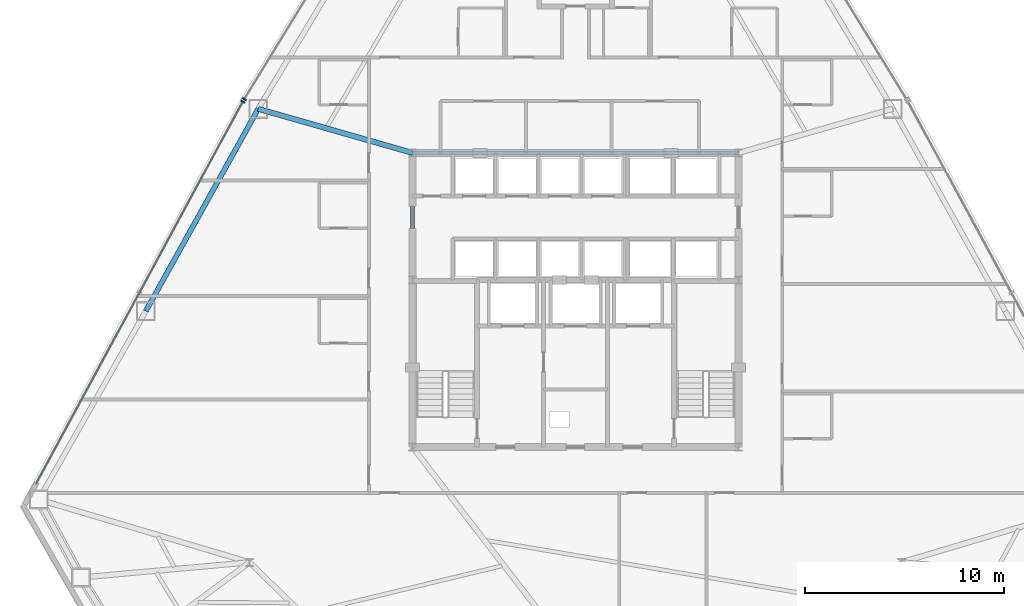
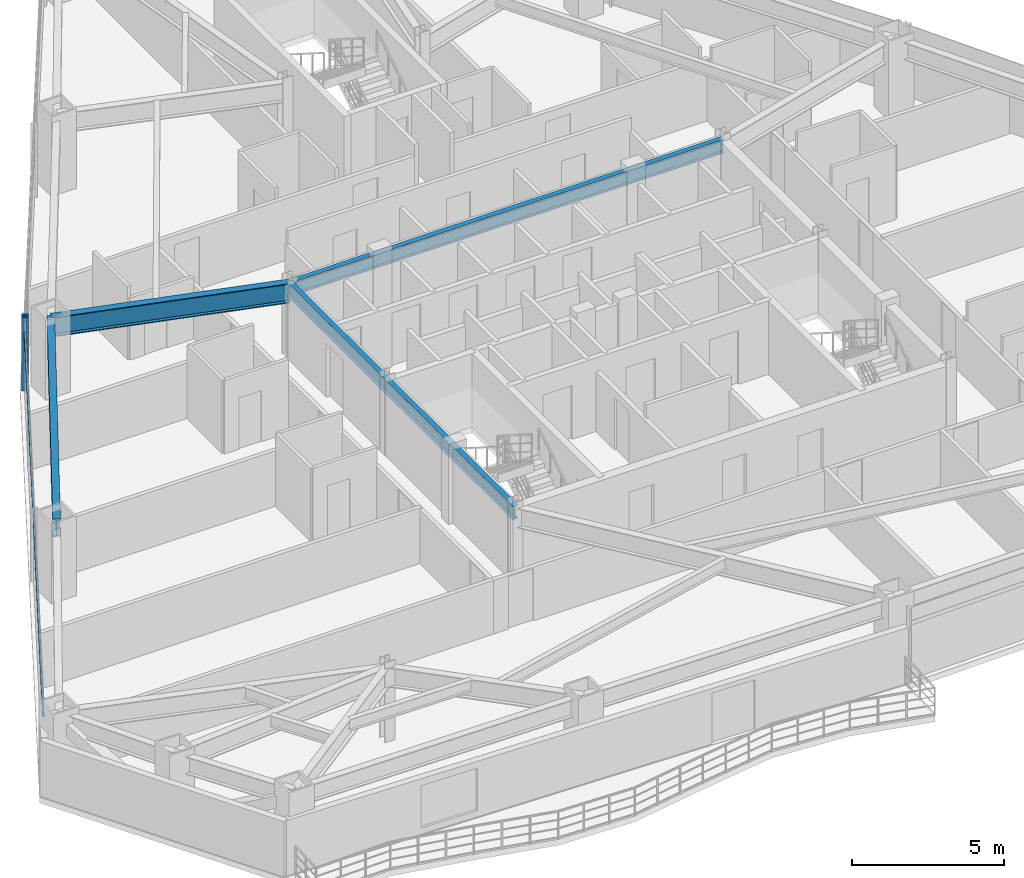
# One storey, part 5 of 13: 4 beams, 3 members, 2 elements without a shape of their own.
"""IFC4 building model written with IfcOpenShell, lengths in metres."""

from ifc_helpers import new_model, si_unit, direction, frame, origin, origin_2d, place, context, subcontext, project, spatial, rectangle, i_section, extrude, source, transform, mapped, material, layer, layer_set, material_profile, profile_set, type_object, type_shapes, element, aggregate, save


model = new_model("IFC4")

# Units and contexts
model_context = context("Model", 3, precision=1e-05, world=origin(), true_north=direction((0.0, 1.0)))
body_context = subcontext(model_context, "Body", "Model", "MODEL_VIEW")
ifc_project = project(units=[si_unit("LENGTHUNIT", "METRE"), si_unit("AREAUNIT", "SQUARE_METRE"), si_unit("VOLUMEUNIT", "CUBIC_METRE"), si_unit("PLANEANGLEUNIT", "RADIAN"), si_unit("MASSUNIT", "GRAM", prefix="KILO")], contexts=[model_context])

# Site, building, storey
site_placement = place(None, origin())
site = spatial("IfcSite", under=ifc_project, at=site_placement, CompositionType="ELEMENT")
building_placement = place(site_placement, origin())
building = spatial("IfcBuilding", under=site, at=building_placement, Name="Varakhsha Concourse Tower", CompositionType="ELEMENT")
storey_placement = place(building_placement, frame((0.0, 0.0, 108.60009765625)))
storey = spatial("IfcBuildingStorey", under=building, at=storey_placement, Name="L31", CompositionType="ELEMENT", Elevation=108.60009765625)

# Beams
ifc_material_1 = material(Name="Structural Steel ASTM A992 Grade 50", Category="steel")
ifc_material_profile_1 = material_profile(ifc_material_1, i_section(OverallWidth=0.26611328125, OverallDepth=0.779052734375, WebThickness=0.01708984375, FlangeThickness=0.030029296875, at=origin_2d()), Name="W30X148")
ifc_profile_set_1 = profile_set([ifc_material_profile_1], Name="Structural Steel ASTM A992 Grade 50")
beam_type_1 = type_object("IfcBeamType", Name="BM-BASE-W30X148", PredefinedType="USERDEFINED", material=ifc_profile_set_1)
beam_1_placement = place(storey_placement, frame((31.800048828125, 31.199951171875, 2.55029296875), z_axis=(-0.961591259635, 0.27448542656, 0.0), x_axis=(-0.27448542656, -0.961591259635, 0.0)))
element("IfcBeam", 1, at=beam_1_placement, inside=storey, type_object=beam_type_1, Name="L31 Radial Floor Girder 05", ObjectType="GIRDER", PredefinedType="USERDEFINED", context=body_context, shape_type="SweptSolid", body=[
    extrude(i_section(OverallWidth=0.26611328125, OverallDepth=0.779052734375, WebThickness=0.01708984375, FlangeThickness=0.030029296875, at=origin_2d()), origin(), (0.0, 0.0, 1.0), 8.07177734375),
])
ifc_material_profile_2 = material_profile(ifc_material_1, i_section(OverallWidth=0.2109375, OverallDepth=0.5390625, WebThickness=0.011962890625, FlangeThickness=0.01904296875, at=origin_2d()), Name="W21X73")
ifc_profile_set_2 = profile_set([ifc_material_profile_2], Name="Structural Steel ASTM A992 Grade 50")
beam_type_2 = type_object("IfcBeamType", Name="BM-RAD-W21X73", PredefinedType="BEAM", material=ifc_profile_set_2)
beam_2_placement = place(storey_placement, frame((31.800048828125, 31.199951171875, 2.67041015625), z_axis=(1.0, 0.0, 0.0), x_axis=(0.0, 1.0, 0.0)))
element("IfcBeam", 2, at=beam_2_placement, inside=storey, type_object=beam_type_2, Name="BM-TCORE-L31-CN", PredefinedType="BEAM", context=body_context, shape_type="SweptSolid", body=[
    extrude(i_section(OverallWidth=0.2109375, OverallDepth=0.5390625, WebThickness=0.011962890625, FlangeThickness=0.01904296875, at=origin_2d()), origin(), (0.0, 0.0, 1.0), 16.39990234375),
])
beam_3_placement = place(storey_placement, frame((31.800048828125, 16.39990234375, 2.67041015625), z_axis=(0.0, 1.0, 0.0), x_axis=(-1.0, 0.0, 0.0)))
element("IfcBeam", 3, at=beam_3_placement, inside=storey, type_object=beam_type_2, Name="BM-TCORE-L31-CW", PredefinedType="BEAM", context=body_context, shape_type="SweptSolid", body=[
    extrude(i_section(OverallWidth=0.2109375, OverallDepth=0.5390625, WebThickness=0.011962890625, FlangeThickness=0.01904296875, at=origin_2d()), origin(), (0.0, 0.0, 1.0), 14.800048828125),
])
ifc_material_profile_3 = material_profile(ifc_material_1, i_section(OverallWidth=0.25390625, OverallDepth=0.701904296875, WebThickness=0.014892578125, FlangeThickness=0.028076171875, at=origin_2d()), Name="W27X129")
ifc_profile_set_3 = profile_set([ifc_material_profile_3], Name="Structural Steel ASTM A992 Grade 50")
beam_type_3 = type_object("IfcBeamType", Name="BM-SPAN-W27X129", PredefinedType="SPANDREL", material=ifc_profile_set_3)
beam_4_placement = place(storey_placement, frame((24.038330078125, 33.41552734375, 2.5888671875), z_axis=(-0.485876116014, -0.874027688284, 0.0), x_axis=(0.874027688284, -0.485876116014, 0.0)))
element("IfcBeam", 4, at=beam_4_placement, inside=storey, type_object=beam_type_3, Name="BM-SPAN-L31-05", PredefinedType="SPANDREL", context=body_context, shape_type="SweptSolid", body=[
    extrude(i_section(OverallWidth=0.25390625, OverallDepth=0.701904296875, WebThickness=0.014892578125, FlangeThickness=0.028076171875, at=origin_2d()), origin(), (0.0, 0.0, 1.0), 11.644287109375),
])

# Curtain wall, member
ifc_material_2 = material(Name="Anodised Bronze Architectural Aluminium AA 6063-T6", Category="aluminium")
ifc_layer = layer(ifc_material_2, 0.199951171875, Name="CW-SYS-03")
ifc_layer_set = layer_set([ifc_layer], Name="Anodised Bronze Architectural Aluminium AA 6063-T6")
curtain_wall_type = type_object("IfcCurtainWallType", Name="CW-SYS-03", PredefinedType="NOTDEFINED", material=ifc_layer_set)
curtain_wall_1_placement = place(storey_placement, origin())
curtain_wall_1 = element("IfcCurtainWall", 5, at=curtain_wall_1_placement, inside=storey, type_object=curtain_wall_type, Name="L31 Crystal Curtain Wall F3", PredefinedType="NOTDEFINED")
ifc_material_profile_4 = material_profile(ifc_material_2, rectangle(XDim=0.06494140625, YDim=0.159912109375, at=origin_2d()), Name="CWT-160X65")
ifc_profile_set_4 = profile_set([ifc_material_profile_4], Name="Anodised Bronze Architectural Aluminium AA 6063-T6")
member_type_1 = type_object("IfcMemberType", Name="CWT-160X65", PredefinedType="USERDEFINED", material=ifc_profile_set_4)
shared_shape_1 = source(origin(), body_context, "Body", "SweptSolid", [
    extrude(rectangle(XDim=0.06494140625, YDim=0.159912109375, at=origin_2d()), origin(), (0.0, 0.0, 1.0), 21.8427734375),
])
type_shapes(member_type_1, [shared_shape_1])
member_1_placement = place(storey_placement, frame((12.8681640625, 14.56494140625, 2.289794921875), z_axis=(0.475959052174, 0.879467441497, 0.0), x_axis=(-0.879467441497, 0.475959052174, 0.0)))
member_1 = element("IfcMember", 6, at=member_1_placement, type_object=member_type_1, Name="CW-L31-F3 Transom 01", ObjectType="TRANSOM", PredefinedType="USERDEFINED", context=body_context, shape_type="MappedRepresentation", body=[
    mapped(shared_shape_1, transform((0.0, 0.0, 0.0), scale=1.0)),
])

curtain_wall_2_placement = place(storey_placement, origin())
curtain_wall_2 = element("IfcCurtainWall", 7, at=curtain_wall_2_placement, inside=storey, type_object=curtain_wall_type, Name="L31 Crystal Curtain Wall F2", PredefinedType="NOTDEFINED")
ifc_material_profile_5 = material_profile(ifc_material_2, rectangle(XDim=0.074951171875, YDim=0.219970703125, at=origin_2d()), Name="CWM-220X75")
ifc_profile_set_5 = profile_set([ifc_material_profile_5], Name="Anodised Bronze Architectural Aluminium AA 6063-T6")
member_type_2 = type_object("IfcMemberType", Name="CWM-220X75", PredefinedType="MULLION", material=ifc_profile_set_5)
shared_shape_2 = source(origin(), body_context, "Body", "SweptSolid", [
    extrude(rectangle(XDim=0.074951171875, YDim=0.219970703125, at=origin_2d()), origin(), (0.0, 0.0, 1.0), 2.93994140625),
])
type_shapes(member_type_2, [shared_shape_2])
member_2_placement = place(storey_placement, frame((23.340087890625, 33.906005859375, 0.0), z_axis=(0.0, 0.0, 1.0), x_axis=(0.523664775253, 0.851924411646, 0.0)))
member_2 = element("IfcMember", 8, at=member_2_placement, type_object=member_type_2, Name="CW-L31-F2 Mullion 00", PredefinedType="MULLION", context=body_context, shape_type="MappedRepresentation", body=[
    mapped(shared_shape_2, transform((0.0, 0.0, 0.0), scale=1.0)),
])
aggregate(curtain_wall_2, [member_2])

# Member
member_3_placement = place(storey_placement, frame((23.264404296875, 33.77490234375, 0.0), z_axis=(0.0, 0.0, 1.0), x_axis=(0.475958864887, 0.879467542855, 0.0)))
member_3 = element("IfcMember", 9, at=member_3_placement, type_object=member_type_2, Name="CW-L31-F3 Mullion 02", PredefinedType="MULLION", context=body_context, shape_type="MappedRepresentation", body=[
    mapped(shared_shape_2, transform((0.0, 0.0, 0.0), scale=1.0)),
])

aggregate(curtain_wall_1, [member_3, member_1])

save(model, "model.ifc")
